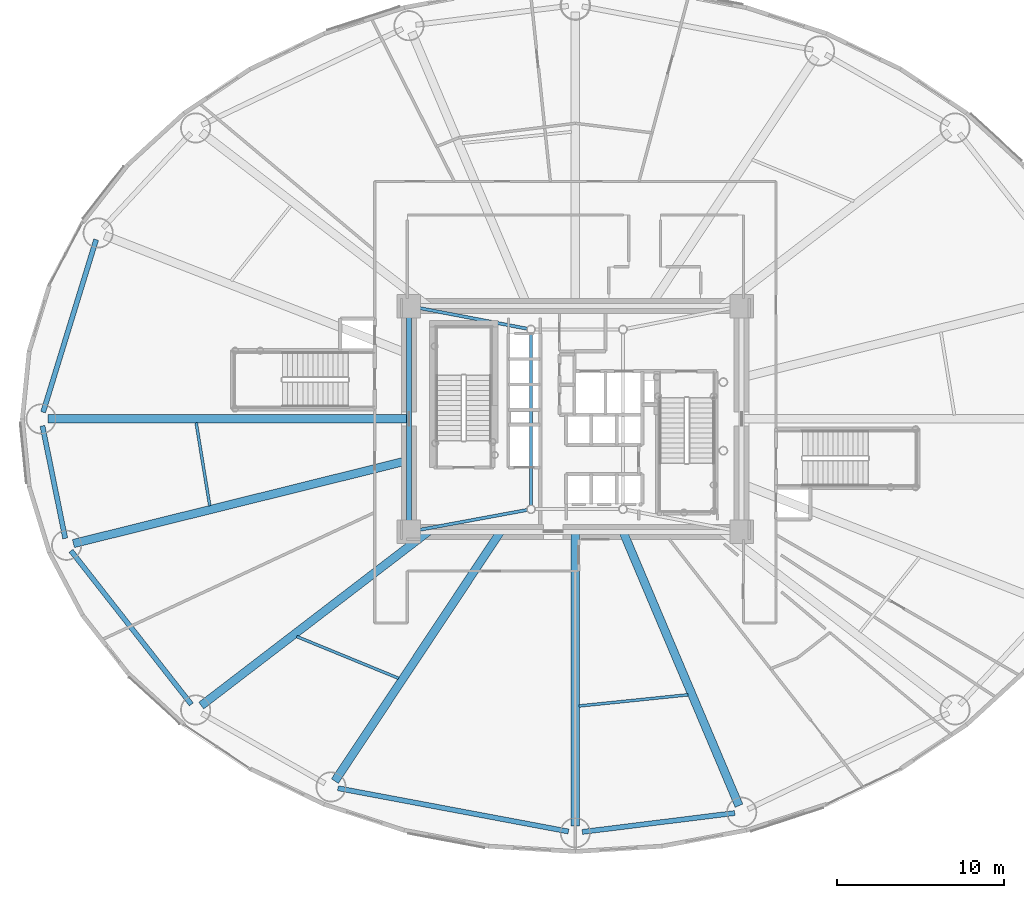
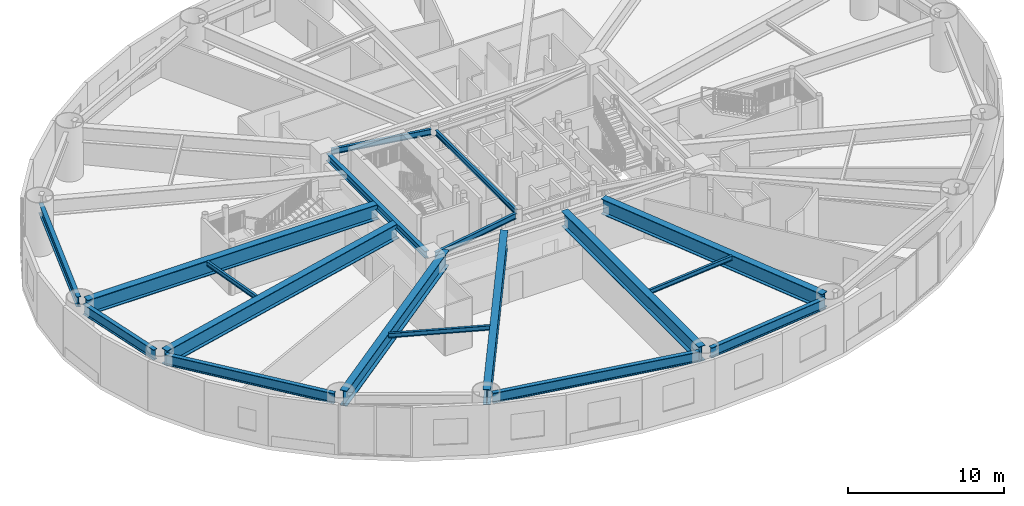
# One storey, part 5 of 27: 18 beams.
"""IFC4 building model written with IfcOpenShell, lengths in metres."""

from ifc_helpers import new_model, si_unit, direction, frame, origin, origin_2d, place, context, subcontext, project, spatial, i_section, extrude, material, material_profile, profile_set, type_object, element, save


model = new_model("IFC4")

# Units and contexts
model_context = context("Model", 3, precision=1e-05, world=origin(), true_north=direction((0.0, 1.0)))
body_context = subcontext(model_context, "Body", "Model", "MODEL_VIEW")
ifc_project = project(units=[si_unit("LENGTHUNIT", "METRE"), si_unit("AREAUNIT", "SQUARE_METRE"), si_unit("VOLUMEUNIT", "CUBIC_METRE"), si_unit("PLANEANGLEUNIT", "RADIAN"), si_unit("MASSUNIT", "GRAM", prefix="KILO")], contexts=[model_context])

# Site, building, storey
site_placement = place(None, origin())
site = spatial("IfcSite", under=ifc_project, at=site_placement, CompositionType="ELEMENT")
building_placement = place(site_placement, origin())
building = spatial("IfcBuilding", under=site, at=building_placement, Name="Linh Dai School and Residence Tower", CompositionType="ELEMENT")
storey_placement = place(building_placement, frame((0.0, 0.0, 22.800048828125)))
storey = spatial("IfcBuildingStorey", under=building, at=storey_placement, Name="L05", CompositionType="ELEMENT", Elevation=22.800048828125)

# Beams
ifc_material = material(Name="Structural Steel S355JR", Category="steel")
ifc_material_profile_1 = material_profile(ifc_material, i_section(OverallWidth=0.300048828125, OverallDepth=0.550048828125, WebThickness=0.014892578125, FlangeThickness=0.029052734375, FilletRadius=0.027099609375, at=origin_2d()), Name="HEB 550")
ifc_profile_set_1 = profile_set([ifc_material_profile_1], Name="Structural Steel S355JR")
beam_type_1 = type_object("IfcBeamType", Name="BM-RG55", PredefinedType="BEAM", material=ifc_profile_set_1)
beam_1_placement = place(storey_placement, frame((26.050048828125, 33.330078125, 3.625), z_axis=(0.0, -1.0, 0.0), x_axis=(1.0, 0.0, 0.0)))
element("IfcBeam", 1, at=beam_1_placement, inside=storey, type_object=beam_type_1, Name="L05 Core Perimeter Coupling Girder 4", PredefinedType="BEAM", context=body_context, shape_type="SweptSolid", body=[
    extrude(i_section(OverallWidth=0.300048828125, OverallDepth=0.550048828125, WebThickness=0.014892578125, FlangeThickness=0.029052734375, FilletRadius=0.027099609375, at=origin_2d()), origin(), (0.0, 0.0, 1.0), 12.66015625),
])
ifc_material_profile_2 = material_profile(ifc_material, i_section(OverallWidth=0.300048828125, OverallDepth=0.800048828125, WebThickness=0.017578125, FlangeThickness=0.032958984375, FilletRadius=0.030029296875, at=origin_2d()), Name="HEB 800")
ifc_profile_set_2 = profile_set([ifc_material_profile_2], Name="Structural Steel S355JR")
beam_type_2 = type_object("IfcBeamType", Name="BM-RG8", PredefinedType="BEAM", material=ifc_profile_set_2)
beam_2_placement = place(storey_placement, frame((7.343017578125, 37.720458984375, 3.5), z_axis=(-0.293626522026, -0.955920219246, 0.0), x_axis=(0.955920219246, -0.293626522026, 0.0)))
element("IfcBeam", 2, at=beam_2_placement, inside=storey, type_object=beam_type_2, Name="L05 Perimeter Elliptical Ring Beam 08", PredefinedType="BEAM", context=body_context, shape_type="SweptSolid", body=[
    extrude(i_section(OverallWidth=0.300048828125, OverallDepth=0.800048828125, WebThickness=0.017578125, FlangeThickness=0.032958984375, FilletRadius=0.030029296875, at=origin_2d()), origin(), (0.0, 0.0, 1.0), 10.794921875),
])
beam_3_placement = place(storey_placement, frame((4.13330078125, 26.58837890625, 3.5), z_axis=(0.198405440792, -0.980120034008, 0.0), x_axis=(0.980120034008, 0.198405440792, 0.0)))
element("IfcBeam", 3, at=beam_3_placement, inside=storey, type_object=beam_type_2, Name="L05 Perimeter Elliptical Ring Beam 09", PredefinedType="BEAM", context=body_context, shape_type="SweptSolid", body=[
    extrude(i_section(OverallWidth=0.300048828125, OverallDepth=0.800048828125, WebThickness=0.017578125, FlangeThickness=0.032958984375, FilletRadius=0.030029296875, at=origin_2d()), origin(), (0.0, 0.0, 1.0), 6.86865234375),
])
beam_4_placement = place(storey_placement, frame((5.838623046875, 19.114013671875, 3.5), z_axis=(0.616811949607, -0.787110550572, 0.0), x_axis=(0.787110550572, 0.616811949607, 0.0)))
element("IfcBeam", 4, at=beam_4_placement, inside=storey, type_object=beam_type_2, Name="L05 Perimeter Elliptical Ring Beam 10", PredefinedType="BEAM", context=body_context, shape_type="SweptSolid", body=[
    extrude(i_section(OverallWidth=0.300048828125, OverallDepth=0.800048828125, WebThickness=0.017578125, FlangeThickness=0.032958984375, FilletRadius=0.030029296875, at=origin_2d()), origin(), (0.0, 0.0, 1.0), 11.668212890625),
])
beam_5_placement = place(storey_placement, frame((21.803466796875, 4.917236328125, 3.5), z_axis=(0.98280551354, -0.184643772045, 0.0), x_axis=(0.184643772045, 0.98280551354, 0.0)))
element("IfcBeam", 5, at=beam_5_placement, inside=storey, type_object=beam_type_2, Name="L05 Perimeter Elliptical Ring Beam 12", PredefinedType="BEAM", context=body_context, shape_type="SweptSolid", body=[
    extrude(i_section(OverallWidth=0.300048828125, OverallDepth=0.800048828125, WebThickness=0.017578125, FlangeThickness=0.032958984375, FilletRadius=0.030029296875, at=origin_2d()), origin(), (0.0, 0.0, 1.0), 14.02490234375),
])
beam_6_placement = place(storey_placement, frame((36.416748046875, 2.3017578125, 3.5), z_axis=(0.992402470446, 0.123033884169, 0.0), x_axis=(-0.123033884169, 0.992402470446, 0.0)))
element("IfcBeam", 6, at=beam_6_placement, inside=storey, type_object=beam_type_2, Name="L05 Perimeter Elliptical Ring Beam 13", PredefinedType="BEAM", context=body_context, shape_type="SweptSolid", body=[
    extrude(i_section(OverallWidth=0.300048828125, OverallDepth=0.800048828125, WebThickness=0.017578125, FlangeThickness=0.032958984375, FilletRadius=0.030029296875, at=origin_2d()), origin(), (0.0, 0.0, 1.0), 9.1875),
])
ifc_material_profile_3 = material_profile(ifc_material, i_section(OverallWidth=0.169921875, OverallDepth=0.360107421875, WebThickness=0.008056640625, FlangeThickness=0.0126953125, FilletRadius=0.01806640625, at=origin_2d()), Name="IPE 360")
ifc_profile_set_3 = profile_set([ifc_material_profile_3], Name="Structural Steel S355JR")
beam_type_3 = type_object("IfcBeamType", Name="BM-SB36", PredefinedType="BEAM", material=ifc_profile_set_3)
beam_7_placement = place(storey_placement, frame((13.3271484375, 26.77294921875, 3.719970703125), z_axis=(0.161510904956, -0.986870927518, 0.0), x_axis=(0.986870927518, 0.161510904956, 0.0)))
element("IfcBeam", 7, at=beam_7_placement, inside=storey, type_object=beam_type_3, Name="L05 Secondary Circumferential Floor Beam 05", PredefinedType="BEAM", context=body_context, shape_type="SweptSolid", body=[
    extrude(i_section(OverallWidth=0.169921875, OverallDepth=0.360107421875, WebThickness=0.008056640625, FlangeThickness=0.0126953125, FilletRadius=0.01806640625, at=origin_2d()), origin(), (0.0, 0.0, 1.0), 5.0322265625),
])
beam_8_placement = place(storey_placement, frame((19.344482421875, 13.9853515625, 3.719970703125), z_axis=(0.925232757167, -0.379399980318, 0.0), x_axis=(0.379399980318, 0.925232757167, 0.0)))
element("IfcBeam", 8, at=beam_8_placement, inside=storey, type_object=beam_type_3, Name="L05 Secondary Circumferential Floor Beam 06", PredefinedType="BEAM", context=body_context, shape_type="SweptSolid", body=[
    extrude(i_section(OverallWidth=0.169921875, OverallDepth=0.360107421875, WebThickness=0.008056640625, FlangeThickness=0.0126953125, FilletRadius=0.01806640625, at=origin_2d()), origin(), (0.0, 0.0, 1.0), 6.5791015625),
])
beam_9_placement = place(storey_placement, frame((36.228759765625, 9.83349609375, 3.719970703125), z_axis=(0.994771633593, 0.102124419206, 0.0), x_axis=(-0.102124419206, 0.994771633593, 0.0)))
element("IfcBeam", 9, at=beam_9_placement, inside=storey, type_object=beam_type_3, Name="L05 Secondary Circumferential Floor Beam 07", PredefinedType="BEAM", context=body_context, shape_type="SweptSolid", body=[
    extrude(i_section(OverallWidth=0.169921875, OverallDepth=0.360107421875, WebThickness=0.008056640625, FlangeThickness=0.0126953125, FilletRadius=0.01806640625, at=origin_2d()), origin(), (0.0, 0.0, 1.0), 6.5478515625),
])
ifc_material_profile_4 = material_profile(ifc_material, i_section(OverallWidth=0.179931640625, OverallDepth=0.39990234375, WebThickness=0.008544921875, FlangeThickness=0.013427734375, FilletRadius=0.02099609375, at=origin_2d()), Name="IPE 400")
ifc_profile_set_4 = profile_set([ifc_material_profile_4], Name="Structural Steel S355JR")
beam_type_4 = type_object("IfcBeamType", Name="BM-SB40", PredefinedType="BEAM", material=ifc_profile_set_4)
beam_10_placement = place(storey_placement, frame((33.35009765625, 32.1259765625, 3.699951171875), z_axis=(0.0, -1.0, 0.0), x_axis=(1.0, 0.0, 0.0)))
element("IfcBeam", 10, at=beam_10_placement, inside=storey, type_object=beam_type_4, Name="L05 Core Mast Pier Tie Beam 4", PredefinedType="BEAM", context=body_context, shape_type="SweptSolid", body=[
    extrude(i_section(OverallWidth=0.179931640625, OverallDepth=0.39990234375, WebThickness=0.008544921875, FlangeThickness=0.013427734375, FilletRadius=0.02099609375, at=origin_2d()), origin(), (0.0, 0.0, 1.0), 10.302001953125),
])
ifc_material_profile_5 = material_profile(ifc_material, i_section(OverallWidth=0.18994140625, OverallDepth=0.449951171875, WebThickness=0.009521484375, FlangeThickness=0.0146484375, FilletRadius=0.02099609375, at=origin_2d()), Name="IPE 450")
ifc_profile_set_5 = profile_set([ifc_material_profile_5], Name="Structural Steel S355JR")
beam_type_5 = type_object("IfcBeamType", Name="BM-SB45", PredefinedType="BEAM", material=ifc_profile_set_5)
beam_11_placement = place(storey_placement, frame((26.462890625, 20.326416015625, 3.675048828125), z_axis=(0.983326152819, 0.18185070025, 0.0), x_axis=(-0.18185070025, 0.983326152819, 0.0)))
element("IfcBeam", 11, at=beam_11_placement, inside=storey, type_object=beam_type_5, Name="L05 Core Corner-to-Mast Pier Beam 1", PredefinedType="BEAM", context=body_context, shape_type="SweptSolid", body=[
    extrude(i_section(OverallWidth=0.18994140625, OverallDepth=0.449951171875, WebThickness=0.009521484375, FlangeThickness=0.0146484375, FilletRadius=0.02099609375, at=origin_2d()), origin(), (0.0, 0.0, 1.0), 6.77978515625),
])
beam_12_placement = place(storey_placement, frame((26.46240234375, 33.6708984375, 3.675048828125), z_axis=(0.982100456787, -0.188357884832, 0.0), x_axis=(0.188357884832, 0.982100456787, 0.0)))
element("IfcBeam", 12, at=beam_12_placement, inside=storey, type_object=beam_type_5, Name="L05 Core Corner-to-Mast Pier Beam 4", PredefinedType="BEAM", context=body_context, shape_type="SweptSolid", body=[
    extrude(i_section(OverallWidth=0.18994140625, OverallDepth=0.449951171875, WebThickness=0.009521484375, FlangeThickness=0.0146484375, FilletRadius=0.02099609375, at=origin_2d()), origin(), (0.0, 0.0, 1.0), 6.789306640625),
])
ifc_material_profile_6 = material_profile(ifc_material, i_section(OverallWidth=0.5, OverallDepth=1.199951171875, WebThickness=0.02392578125, FlangeThickness=0.044921875, at=origin_2d()), Name="PG 1200x500x24x45")
ifc_profile_set_6 = profile_set([ifc_material_profile_6], Name="Structural Steel S355JR")
beam_type_6 = type_object("IfcBeamType", Name="BM-TG12", PredefinedType="BEAM", material=ifc_profile_set_6)
beam_13_placement = place(storey_placement, frame((26.050048828125, 27.0, 3.300048828125), z_axis=(-1.0, 0.0, 0.0), x_axis=(0.0, -1.0, 0.0)))
element("IfcBeam", 13, at=beam_13_placement, inside=storey, type_object=beam_type_6, Name="L05 Primary Radial Floor Girder 09", PredefinedType="BEAM", context=body_context, shape_type="SweptSolid", body=[
    extrude(i_section(OverallWidth=0.5, OverallDepth=1.199951171875, WebThickness=0.02392578125, FlangeThickness=0.044921875, at=origin_2d()), origin(), (0.0, 0.0, 1.0), 21.580078125),
])
beam_14_placement = place(storey_placement, frame((26.050048828125, 24.52880859375, 3.300048828125), z_axis=(-0.970515097282, -0.241040340913, 0.0), x_axis=(0.241040340913, -0.970515097282, 0.0)))
element("IfcBeam", 14, at=beam_14_placement, inside=storey, type_object=beam_type_6, Name="L05 Primary Radial Floor Girder 10", PredefinedType="BEAM", context=body_context, shape_type="SweptSolid", body=[
    extrude(i_section(OverallWidth=0.5, OverallDepth=1.199951171875, WebThickness=0.02392578125, FlangeThickness=0.044921875, at=origin_2d()), origin(), (0.0, 0.0, 1.0), 20.672607421875),
])
beam_15_placement = place(storey_placement, frame((27.192138671875, 20.25, 3.300048828125), z_axis=(-0.793713040757, -0.608292371259, 0.0), x_axis=(0.608292371259, -0.793713040757, 0.0)))
element("IfcBeam", 15, at=beam_15_placement, inside=storey, type_object=beam_type_6, Name="L05 Primary Radial Floor Girder 11", PredefinedType="BEAM", context=body_context, shape_type="SweptSolid", body=[
    extrude(i_section(OverallWidth=0.5, OverallDepth=1.199951171875, WebThickness=0.02392578125, FlangeThickness=0.044921875, at=origin_2d()), origin(), (0.0, 0.0, 1.0), 17.08935546875),
])
beam_16_placement = place(storey_placement, frame((31.518798828125, 20.25, 3.300048828125), z_axis=(-0.553108911901, -0.833108955404, 0.0), x_axis=(0.833108955404, -0.553108911901, 0.0)))
element("IfcBeam", 16, at=beam_16_placement, inside=storey, type_object=beam_type_6, Name="L05 Primary Radial Floor Girder 12", PredefinedType="BEAM", context=body_context, shape_type="SweptSolid", body=[
    extrude(i_section(OverallWidth=0.5, OverallDepth=1.199951171875, WebThickness=0.02392578125, FlangeThickness=0.044921875, at=origin_2d()), origin(), (0.0, 0.0, 1.0), 17.89111328125),
])
beam_17_placement = place(storey_placement, frame((36.0, 20.25, 3.300048828125), z_axis=(0.0, -1.0, 0.0), x_axis=(1.0, 0.0, 0.0)))
element("IfcBeam", 17, at=beam_17_placement, inside=storey, type_object=beam_type_6, Name="L05 Primary Radial Floor Girder 13", PredefinedType="BEAM", context=body_context, shape_type="SweptSolid", body=[
    extrude(i_section(OverallWidth=0.5, OverallDepth=1.199951171875, WebThickness=0.02392578125, FlangeThickness=0.044921875, at=origin_2d()), origin(), (0.0, 0.0, 1.0), 17.580078125),
])
beam_18_placement = place(storey_placement, frame((38.8564453125, 20.25, 3.300048828125), z_axis=(0.389695518128, -0.920943756779, 0.0), x_axis=(0.920943756779, 0.389695518128, 0.0)))
element("IfcBeam", 18, at=beam_18_placement, inside=storey, type_object=beam_type_6, Name="L05 Primary Radial Floor Girder 14", PredefinedType="BEAM", context=body_context, shape_type="SweptSolid", body=[
    extrude(i_section(OverallWidth=0.5, OverallDepth=1.199951171875, WebThickness=0.02392578125, FlangeThickness=0.044921875, at=origin_2d()), origin(), (0.0, 0.0, 1.0), 17.785400390625),
])

save(model, "model.ifc")
